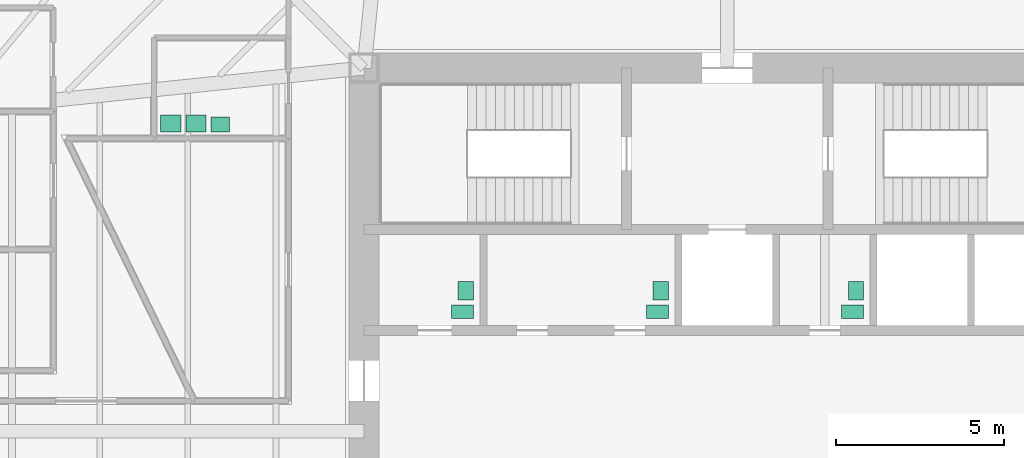
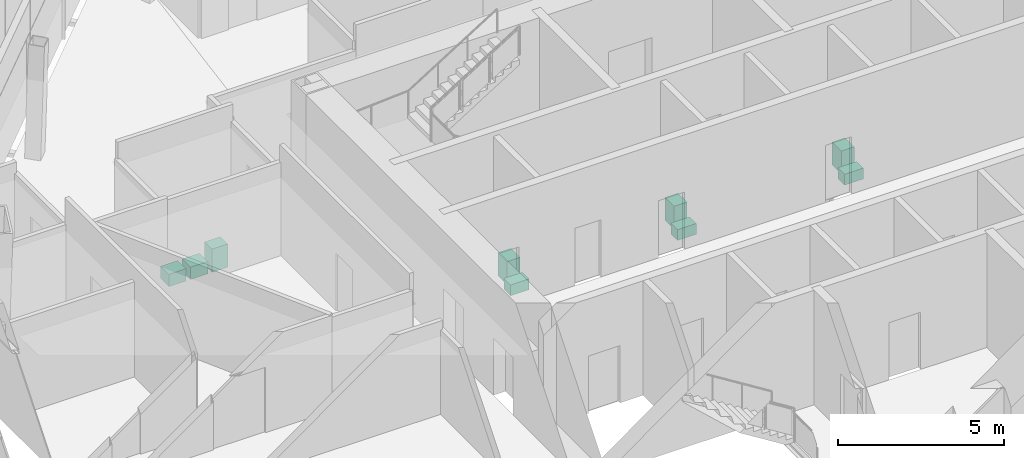
# One storey, part 14 of 14: 9 sanitary terminals.
"""IFC4 building model written with IfcOpenShell, lengths in metres."""

from ifc_helpers import new_model, si_unit, direction, frame, origin, origin_2d, place, context, subcontext, project, spatial, rectangle, extrude, material, type_object, element, save


model = new_model("IFC4")

# Units and contexts
model_context = context("Model", 3, precision=1e-05, world=origin(), true_north=direction((0.0, 1.0)))
body_context = subcontext(model_context, "Body", "Model", "MODEL_VIEW")
ifc_project = project(units=[si_unit("LENGTHUNIT", "METRE"), si_unit("AREAUNIT", "SQUARE_METRE"), si_unit("VOLUMEUNIT", "CUBIC_METRE"), si_unit("PLANEANGLEUNIT", "RADIAN"), si_unit("MASSUNIT", "GRAM", prefix="KILO")], contexts=[model_context])

# Site, building, storey
site_placement = place(None, origin())
site = spatial("IfcSite", under=ifc_project, at=site_placement, CompositionType="ELEMENT")
building_placement = place(site_placement, origin())
building = spatial("IfcBuilding", under=site, at=building_placement, Name="Mashrafa Tower", CompositionType="ELEMENT")
storey_placement = place(building_placement, frame((0.0, 0.0, 117.60009765625)))
storey = spatial("IfcBuildingStorey", under=building, at=storey_placement, Name="L26", CompositionType="ELEMENT", Elevation=117.60009765625)

# Sanitary terminals
ifc_material_1 = material(Name="Stainless steel", Category="steel")
sanitary_terminal_type_1 = type_object("IfcSanitaryTerminalType", Name="Ablution wash station 600 x 500", PredefinedType="WASHHANDBASIN", material=ifc_material_1)
for number, where, z_axis, x_axis, name in (
    (1, (-16.550048828125, 9.14990234375, 0.0), (0.0, 0.0, 1.0), (1.0, 0.0, 0.0), "Ablution wash station Ablution Room L26"),
    (2, (-15.800048828125, 9.14990234375, 0.0), (0.0, 0.0, 1.0), (1.0, 0.0, 0.0), "Ablution wash station Ablution Room L26"),
):
    element("IfcSanitaryTerminal", number, at=place(storey_placement, frame(where, z_axis=z_axis, x_axis=x_axis)), inside=storey, type_object=sanitary_terminal_type_1, Name=name, PredefinedType="WASHHANDBASIN", context=body_context, shape_type="SweptSolid", body=[
        extrude(rectangle(XDim=0.60009765625, YDim=0.5, at=origin_2d()), origin(), (0.0, 0.0, 1.0), 0.449951171875),
    ])
ifc_material_2 = material(Name="Vitreous china")
sanitary_terminal_type_2 = type_object("IfcSanitaryTerminalType", Name="Toilet pan 400 x 650", PredefinedType="TOILETPAN", material=ifc_material_2)
for number, where, z_axis, x_axis, name in (
    (3, (-7.875, 3.550048828125, 0.0), (0.0, 0.0, 1.0), (0.0, 1.0, 0.0), "Toilet pan Accessible WC L26"),
    (4, (-2.074951171875, 3.550048828125, 0.0), (0.0, 0.0, 1.0), (0.0, 1.0, 0.0), "Toilet pan WC Male L26"),
    (5, (3.72509765625, 3.550048828125, 0.0), (0.0, 0.0, 1.0), (0.0, 1.0, 0.0), "Toilet pan WC Female L26"),
):
    element("IfcSanitaryTerminal", number, at=place(storey_placement, frame(where, z_axis=z_axis, x_axis=x_axis)), inside=storey, type_object=sanitary_terminal_type_2, Name=name, PredefinedType="TOILETPAN", context=body_context, shape_type="SweptSolid", body=[
        extrude(rectangle(XDim=0.39990234375, YDim=0.64990234375, at=origin_2d()), origin(), (0.0, 0.0, 1.0), 0.39990234375),
    ])
ifc_material_3 = material(Name="Vitreous china")
sanitary_terminal_type_3 = type_object("IfcSanitaryTerminalType", Name="Wash basin 550 x 450", PredefinedType="WASHHANDBASIN", material=ifc_material_3)
for number, where, z_axis, x_axis, name in (
    (6, (-7.77490234375, 4.175048828125, -0.000244140625), (0.0, 0.0, 1.0), (0.0, 1.0, 0.0), "Wash basin Accessible WC L26"),
    (7, (-1.97509765625, 4.175048828125, -0.000244140625), (0.0, 0.0, 1.0), (0.0, 1.0, 0.0), "Wash basin WC Male L26"),
    (8, (3.824951171875, 4.175048828125, -0.000244140625), (0.0, 0.0, 1.0), (0.0, 1.0, 0.0), "Wash basin WC Female L26"),
    (9, (-15.074951171875, 9.125, -0.000244140625), (0.0, 0.0, 1.0), (1.0, 0.0, 0.0), "Wash basin Ablution Room L26"),
):
    element("IfcSanitaryTerminal", number, at=place(storey_placement, frame(where, z_axis=z_axis, x_axis=x_axis)), inside=storey, type_object=sanitary_terminal_type_3, Name=name, PredefinedType="WASHHANDBASIN", context=body_context, shape_type="SweptSolid", body=[
        extrude(rectangle(XDim=0.550048828125, YDim=0.449951171875, at=origin_2d()), origin(), (0.0, 0.0, 1.0), 0.85009765625),
    ])

save(model, "model.ifc")
